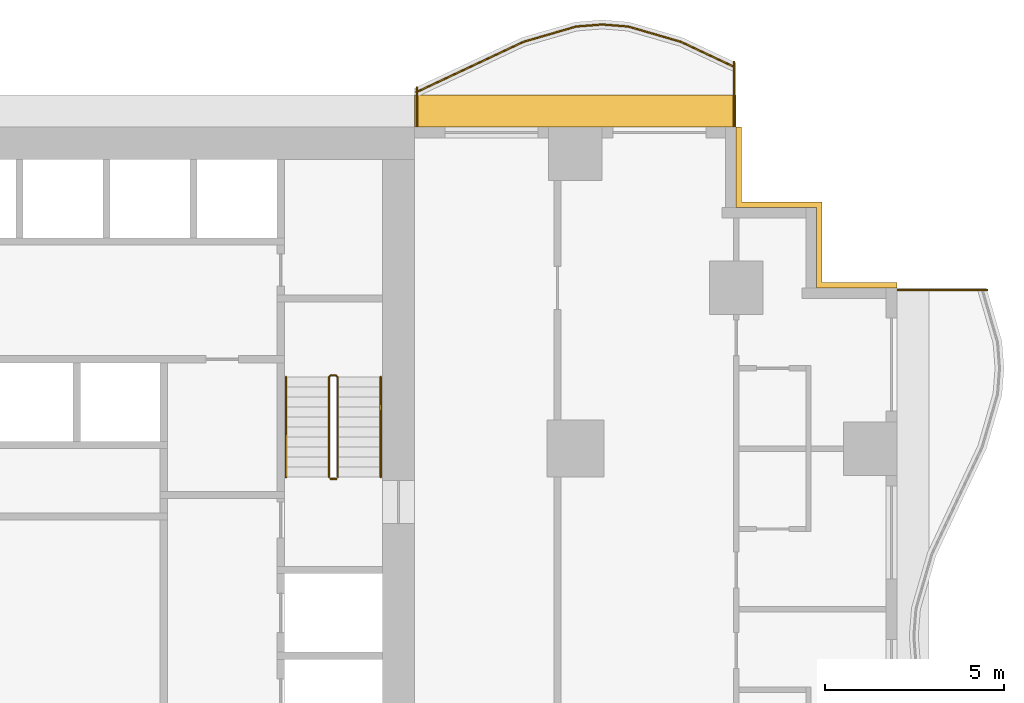
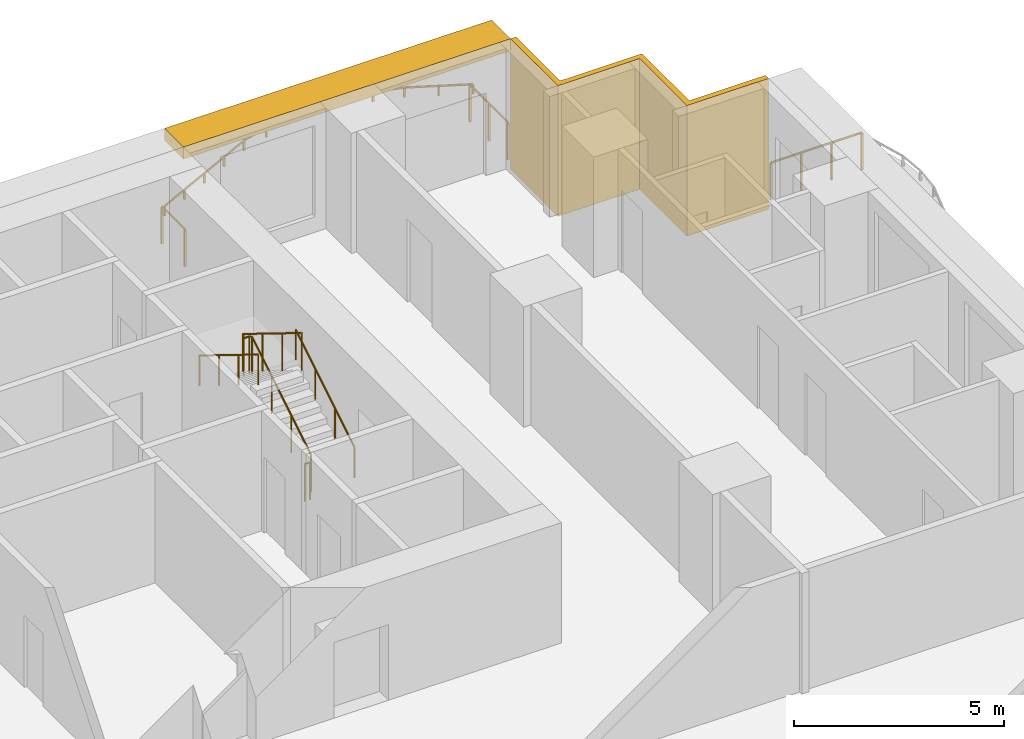
# One storey, part 14 of 14: 8 railings, 2 shading devices.
"""IFC4 building model written with IfcOpenShell, lengths in metres."""

from ifc_helpers import new_model, si_unit, direction, frame, origin, origin_2d, place, context, subcontext, project, spatial, polyline, rectangle, circle, outline, extrude, material, layer, layer_set, type_object, element, save


model = new_model("IFC4")

# Units and contexts
model_context = context("Model", 3, precision=1e-05, world=origin(), true_north=direction((0.0, 1.0)))
body_context = subcontext(model_context, "Body", "Model", "MODEL_VIEW")
ifc_project = project(units=[si_unit("LENGTHUNIT", "METRE"), si_unit("AREAUNIT", "SQUARE_METRE"), si_unit("VOLUMEUNIT", "CUBIC_METRE"), si_unit("PLANEANGLEUNIT", "RADIAN"), si_unit("MASSUNIT", "GRAM", prefix="KILO")], contexts=[model_context])

# Site, building, storey
site_placement = place(None, origin())
site = spatial("IfcSite", under=ifc_project, at=site_placement, CompositionType="ELEMENT")
building_placement = place(site_placement, origin())
building = spatial("IfcBuilding", under=site, at=building_placement, Name="Orbiselva Terraces", CompositionType="ELEMENT")
storey_placement = place(building_placement, frame((0.0, 0.0, 15.0)))
storey = spatial("IfcBuildingStorey", under=building, at=storey_placement, Name="L03", CompositionType="ELEMENT", Elevation=15.0)

# Railings
ifc_material_1 = material(Name="Stainless steel", Category="steel")
railing_type_1 = type_object("IfcRailingType", Name="CORE-GUARD-1100", PredefinedType="GUARDRAIL", material=ifc_material_1)
railing_1_placement = place(storey_placement, frame((11.35, 12.7, 0.172727)))
element("IfcRailing", 1, at=railing_1_placement, inside=storey, type_object=railing_type_1, Name="L03 S2 stair guard 1", PredefinedType="GUARDRAIL", context=body_context, shape_type="SweptSolid", body=[
    extrude(circle(Radius=0.024, at=origin_2d()), frame((0.0, 0.0, 1.081), z_axis=(0.0, 0.851088519012, 0.52502222125), x_axis=(-1.0, 0.0, 0.0)), (0.0, 0.0, 1.0), 3.289905),
    extrude(circle(Radius=0.024, at=origin_2d()), frame((0.0, 2.8, 2.808273), z_axis=(-0.707106781187, 0.707106781187, 0.0), x_axis=(-0.707106781187, -0.707106781187, 0.0)), (0.0, 0.0, 1.0), 0.070711),
    extrude(circle(Radius=0.024, at=origin_2d()), frame((-0.05, 2.85, 2.808273), z_axis=(-1.0, 0.0, 0.0), x_axis=(0.0, -1.0, 0.0)), (0.0, 0.0, 1.0), 0.15),
    extrude(circle(Radius=0.024, at=origin_2d()), frame((-0.2, 2.85, 2.808273), z_axis=(-0.267894925557, -0.267894925557, 0.925453736133), x_axis=(0.707106781187, -0.707106781187, 0.0)), (0.0, 0.0, 1.0), 0.18664),
    extrude(circle(Radius=0.024, at=origin_2d()), frame((-0.25, 2.8, 2.981), z_axis=(0.0, -0.851088519012, 0.52502222125), x_axis=(1.0, 0.0, 0.0)), (0.0, 0.0, 1.0), 3.289905),
    extrude(circle(Radius=0.021, at=origin_2d()), origin(), (0.0, 0.0, 1.0), 1.057),
    extrude(circle(Radius=0.021, at=origin_2d()), frame((0.0, 0.933333, 0.575758)), (0.0, 0.0, 1.0), 1.057),
    extrude(circle(Radius=0.021, at=origin_2d()), frame((0.0, 1.866667, 1.151515)), (0.0, 0.0, 1.0), 1.057),
    extrude(circle(Radius=0.021, at=origin_2d()), frame((0.0, 2.8, 1.727273)), (0.0, 0.0, 1.0), 1.057),
    extrude(circle(Radius=0.021, at=origin_2d()), frame((-0.05, 2.85, 1.727273)), (0.0, 0.0, 1.0), 1.057),
    extrude(circle(Radius=0.021, at=origin_2d()), frame((-0.2, 2.85, 1.727273)), (0.0, 0.0, 1.0), 1.057),
    extrude(circle(Radius=0.021, at=origin_2d()), frame((-0.25, 2.8, 1.9)), (0.0, 0.0, 1.0), 1.057),
    extrude(circle(Radius=0.021, at=origin_2d()), frame((-0.25, 1.866667, 2.475758)), (0.0, 0.0, 1.0), 1.057),
    extrude(circle(Radius=0.021, at=origin_2d()), frame((-0.25, 0.933333, 3.051515)), (0.0, 0.0, 1.0), 1.057),
    extrude(circle(Radius=0.021, at=origin_2d()), frame((-0.25, 0.0, 3.627273)), (0.0, 0.0, 1.0), 1.057),
])
railing_2_placement = place(storey_placement, frame((11.3, 12.65, 0.0)))
element("IfcRailing", 2, at=railing_2_placement, inside=storey, type_object=railing_type_1, Name="L03 S2 stair guard 2", PredefinedType="GUARDRAIL", context=body_context, shape_type="SweptSolid", body=[
    extrude(circle(Radius=0.024, at=origin_2d()), frame((0.0, 0.0, 1.081), z_axis=(-1.0, 0.0, 0.0), x_axis=(0.0, -1.0, 0.0)), (0.0, 0.0, 1.0), 0.15),
    extrude(circle(Radius=0.021, at=origin_2d()), origin(), (0.0, 0.0, 1.0), 1.057),
    extrude(circle(Radius=0.021, at=origin_2d()), frame((-0.15, 0.0, 0.0)), (0.0, 0.0, 1.0), 1.057),
])
railing_type_2 = type_object("IfcRailingType", Name="CORE-HANDRAIL-900", PredefinedType="HANDRAIL", material=ifc_material_1)
railing_3_placement = place(storey_placement, frame((12.55, 12.7, 0.172727)))
element("IfcRailing", 3, at=railing_3_placement, inside=storey, type_object=railing_type_2, Name="L03 S2 stair handrail 1", PredefinedType="HANDRAIL", context=body_context, shape_type="SweptSolid", body=[
    extrude(circle(Radius=0.024, at=origin_2d()), frame((0.0, 0.0, 0.876), z_axis=(0.0, 0.851088519012, 0.52502222125), x_axis=(-1.0, 0.0, 0.0)), (0.0, 0.0, 1.0), 3.289905),
    extrude(circle(Radius=0.021, at=origin_2d()), origin(), (0.0, 0.0, 1.0), 0.852),
    extrude(circle(Radius=0.021, at=origin_2d()), frame((0.0, 0.933333, 0.575758)), (0.0, 0.0, 1.0), 0.852),
    extrude(circle(Radius=0.021, at=origin_2d()), frame((0.0, 1.866667, 1.151515)), (0.0, 0.0, 1.0), 0.852),
    extrude(circle(Radius=0.021, at=origin_2d()), frame((0.0, 2.8, 1.727273)), (0.0, 0.0, 1.0), 0.852),
])
railing_4_placement = place(storey_placement, frame((9.9, 15.5, 2.072727)))
element("IfcRailing", 4, at=railing_4_placement, inside=storey, type_object=railing_type_2, Name="L03 S2 stair handrail 2", PredefinedType="HANDRAIL", context=body_context, shape_type="SweptSolid", body=[
    extrude(circle(Radius=0.024, at=origin_2d()), frame((0.0, 0.0, 0.876), z_axis=(0.0, -0.851088519012, 0.52502222125), x_axis=(1.0, 0.0, 0.0)), (0.0, 0.0, 1.0), 3.289905),
    extrude(circle(Radius=0.021, at=origin_2d()), origin(), (0.0, 0.0, 1.0), 0.852),
    extrude(circle(Radius=0.021, at=origin_2d()), frame((0.0, -0.933333, 0.575758)), (0.0, 0.0, 1.0), 0.852),
    extrude(circle(Radius=0.021, at=origin_2d()), frame((0.0, -1.866667, 1.151515)), (0.0, 0.0, 1.0), 0.852),
    extrude(circle(Radius=0.021, at=origin_2d()), frame((0.0, -2.8, 1.727273)), (0.0, 0.0, 1.0), 0.852),
])
ifc_material_2 = material(Name="Bonded two-ply safety glass balustrade, stainless steel posts", Category="steel")
railing_type_3 = type_object("IfcRailingType", Name="ENV-BALUSTRADE-1200", PredefinedType="BALUSTRADE", material=ifc_material_2)
railing_5_placement = place(storey_placement, frame((22.446809, 24.186882, 0.9)))
element("IfcRailing", 5, at=railing_5_placement, inside=storey, type_object=railing_type_3, Name="Balcony balustrade L03 NE", PredefinedType="BALUSTRADE", context=body_context, shape_type="SweptSolid", body=[
    extrude(outline(polyline([(0.028868, 0.0), (0.014434, 0.025), (-0.014434, 0.025), (-0.028868, 0.0), (-0.014434, -0.025), (0.014434, -0.025), (0.028868, 0.0)])), frame((0.0, 0.0, 0.275), z_axis=(-0.904944359461, 0.425529912322, 0.0), x_axis=(-0.425529912322, -0.904944359461, 0.0)), (0.0, 0.0, 1.0), 1.647746),
    extrude(outline(polyline([(0.028868, 0.0), (0.014434, 0.025), (-0.014434, 0.025), (-0.028868, 0.0), (-0.014434, -0.025), (0.014434, -0.025), (0.028868, 0.0)])), frame((-1.491118, 0.701165, 0.275), z_axis=(-0.960270317007, 0.279071528957, 0.0), x_axis=(-0.279071528957, -0.960270317007, 0.0)), (0.0, 0.0, 1.0), 1.539408),
    extrude(outline(polyline([(0.028868, 0.0), (0.014434, 0.025), (-0.014434, 0.025), (-0.028868, 0.0), (-0.014434, -0.025), (0.014434, -0.025), (0.028868, 0.0)])), frame((-2.969366, 1.13077, 0.275), z_axis=(-0.996947916106, 0.078069536776, 0.0), x_axis=(-0.078069536776, -0.996947916106, 0.0)), (0.0, 0.0, 1.0), 0.72967),
    extrude(outline(polyline([(0.028868, 0.0), (0.014434, 0.025), (-0.014434, 0.025), (-0.028868, 0.0), (-0.014434, -0.025), (0.014434, -0.025), (0.028868, 0.0)])), frame((-3.696809, 1.187735, 0.275), z_axis=(-0.996947916106, -0.078069536776, 0.0), x_axis=(0.078069536776, -0.996947916106, 0.0)), (0.0, 0.0, 1.0), 0.72967),
    extrude(outline(polyline([(0.028868, 0.0), (0.014434, 0.025), (-0.014434, 0.025), (-0.028868, 0.0), (-0.014434, -0.025), (0.014434, -0.025), (0.028868, 0.0)])), frame((-4.424252, 1.13077, 0.275), z_axis=(-0.960270317007, -0.279071528957, 0.0), x_axis=(0.279071528957, -0.960270317007, 0.0)), (0.0, 0.0, 1.0), 1.539408),
    extrude(outline(polyline([(0.028868, 0.0), (0.014434, 0.025), (-0.014434, 0.025), (-0.028868, 0.0), (-0.014434, -0.025), (0.014434, -0.025), (0.028868, 0.0)])), frame((-5.9025, 0.701165, 0.275), z_axis=(-0.904944359461, -0.425529912322, 0.0), x_axis=(0.425529912322, -0.904944359461, 0.0)), (0.0, 0.0, 1.0), 1.647746),
    extrude(outline(polyline([(0.028868, 0.0), (0.014434, 0.025), (-0.014434, 0.025), (-0.028868, 0.0), (-0.014434, -0.025), (0.014434, -0.025), (0.028868, 0.0)])), frame((-7.393618, 0.0, 0.275), z_axis=(-0.904944257823, -0.425530128467, 0.0), x_axis=(0.425530128467, -0.904944257823, 0.0)), (0.0, 0.0, 1.0), 1.657561),
    extrude(rectangle(XDim=0.05, YDim=0.05, at=origin_2d()), origin(), (0.0, 0.0, 1.0), 0.25),
    extrude(rectangle(XDim=0.05, YDim=0.05, at=origin_2d()), frame((-0.745559, 0.350582, 0.0)), (0.0, 0.0, 1.0), 0.25),
    extrude(rectangle(XDim=0.05, YDim=0.05, at=origin_2d()), frame((-1.491118, 0.701165, 0.0)), (0.0, 0.0, 1.0), 0.25),
    extrude(rectangle(XDim=0.05, YDim=0.05, at=origin_2d()), frame((-2.230242, 0.915967, 0.0)), (0.0, 0.0, 1.0), 0.25),
    extrude(rectangle(XDim=0.05, YDim=0.05, at=origin_2d()), frame((-2.969366, 1.13077, 0.0)), (0.0, 0.0, 1.0), 0.25),
    extrude(rectangle(XDim=0.05, YDim=0.05, at=origin_2d()), frame((-3.696809, 1.187735, 0.0)), (0.0, 0.0, 1.0), 0.25),
    extrude(rectangle(XDim=0.05, YDim=0.05, at=origin_2d()), frame((-4.424252, 1.13077, 0.0)), (0.0, 0.0, 1.0), 0.25),
    extrude(rectangle(XDim=0.05, YDim=0.05, at=origin_2d()), frame((-5.163376, 0.915967, 0.0)), (0.0, 0.0, 1.0), 0.25),
    extrude(rectangle(XDim=0.05, YDim=0.05, at=origin_2d()), frame((-5.9025, 0.701165, 0.0)), (0.0, 0.0, 1.0), 0.25),
    extrude(rectangle(XDim=0.05, YDim=0.05, at=origin_2d()), frame((-6.648059, 0.350582, 0.0)), (0.0, 0.0, 1.0), 0.25),
    extrude(rectangle(XDim=0.05, YDim=0.05, at=origin_2d()), frame((-7.393618, 0.0, 0.0)), (0.0, 0.0, 1.0), 0.25),
    extrude(rectangle(XDim=0.05, YDim=0.05, at=origin_2d()), frame((-8.143618, -0.352671, 0.0)), (0.0, 0.0, 1.0), 0.25),
    extrude(rectangle(XDim=0.05, YDim=0.05, at=origin_2d()), frame((-8.893618, -0.705342, 0.0)), (0.0, 0.0, 1.0), 0.25),
])
ifc_material_3 = material(Name="Stainless steel rail and posts", Category="steel")
railing_type_4 = type_object("IfcRailingType", Name="ENV-GUARD-1105", PredefinedType="BALUSTRADE", material=ifc_material_3)
railing_6_placement = place(storey_placement, frame((29.529516, 17.94, 0.0)))
element("IfcRailing", 6, at=railing_6_placement, inside=storey, type_object=railing_type_4, Name="Balcony end guard L03 E", PredefinedType="BALUSTRADE", context=body_context, shape_type="SweptSolid", body=[
    extrude(outline(polyline([(0.028868, 0.0), (0.014434, 0.025), (-0.014434, 0.025), (-0.028868, 0.0), (-0.014434, -0.025), (0.014434, -0.025), (0.028868, 0.0)])), frame((0.0, 0.0, 1.08), z_axis=(-1.0, 0.0, 0.0), x_axis=(0.0, -1.0, 0.0)), (0.0, 0.0, 1.0), 2.504516),
    extrude(rectangle(XDim=0.05, YDim=0.05, at=origin_2d()), origin(), (0.0, 0.0, 1.0), 1.055),
    extrude(rectangle(XDim=0.05, YDim=0.05, at=origin_2d()), frame((-0.834839, 0.0, 0.0)), (0.0, 0.0, 1.0), 1.055),
    extrude(rectangle(XDim=0.05, YDim=0.05, at=origin_2d()), frame((-1.669677, 0.0, 0.0)), (0.0, 0.0, 1.0), 1.055),
    extrude(rectangle(XDim=0.05, YDim=0.05, at=origin_2d()), frame((-2.504516, 0.0, 0.0)), (0.0, 0.0, 1.0), 1.055),
])
railing_7_placement = place(storey_placement, frame((22.44, 24.330156, 0.0)))
element("IfcRailing", 7, at=railing_7_placement, inside=storey, type_object=railing_type_4, Name="Balcony end guard L03 NE", PredefinedType="BALUSTRADE", context=body_context, shape_type="SweptSolid", body=[
    extrude(outline(polyline([(0.028868, 0.0), (0.014434, 0.025), (-0.014434, 0.025), (-0.028868, 0.0), (-0.014434, -0.025), (0.014434, -0.025), (0.028868, 0.0)])), frame((0.0, 0.0, 1.08), z_axis=(0.0, -1.0, 0.0), x_axis=(1.0, 0.0, 0.0)), (0.0, 0.0, 1.0), 1.805156),
    extrude(rectangle(XDim=0.05, YDim=0.05, at=origin_2d()), origin(), (0.0, 0.0, 1.0), 1.055),
    extrude(rectangle(XDim=0.05, YDim=0.05, at=origin_2d()), frame((0.0, -0.902578, 0.0)), (0.0, 0.0, 1.0), 1.055),
    extrude(rectangle(XDim=0.05, YDim=0.05, at=origin_2d()), frame((0.0, -1.805156, 0.0)), (0.0, 0.0, 1.0), 1.055),
])
railing_8_placement = place(storey_placement, frame((13.56, 23.619277, 0.0)))
element("IfcRailing", 8, at=railing_8_placement, inside=storey, type_object=railing_type_4, Name="Balcony end guard L03 NE", PredefinedType="BALUSTRADE", context=body_context, shape_type="SweptSolid", body=[
    extrude(outline(polyline([(0.028868, 0.0), (0.014434, 0.025), (-0.014434, 0.025), (-0.028868, 0.0), (-0.014434, -0.025), (0.014434, -0.025), (0.028868, 0.0)])), frame((0.0, 0.0, 1.08), z_axis=(0.0, -1.0, 0.0), x_axis=(1.0, 0.0, 0.0)), (0.0, 0.0, 1.0), 1.094277),
    extrude(rectangle(XDim=0.05, YDim=0.05, at=origin_2d()), origin(), (0.0, 0.0, 1.0), 1.055),
    extrude(rectangle(XDim=0.05, YDim=0.05, at=origin_2d()), frame((0.0, -1.094277, 0.0)), (0.0, 0.0, 1.0), 1.055),
])

# Shading devices
ifc_material_4 = material(Name="Terracotta louvre screen", Category="masonry")
ifc_layer_1 = layer(ifc_material_4, 0.15)
ifc_layer_set_1 = layer_set([ifc_layer_1], Name="Terracotta louvre screen")
shading_device_type_1 = type_object("IfcShadingDeviceType", Name="ENV-SCREEN-150", PredefinedType="USERDEFINED", material=ifc_layer_set_1)
shading_device_1_placement = place(storey_placement, frame((0.0, 0.0, -0.3)))
element("IfcShadingDevice", 9, at=shading_device_1_placement, inside=storey, type_object=shading_device_type_1, Name="Louvre screen L03 NE", ObjectType="SCREEN", PredefinedType="USERDEFINED", context=body_context, shape_type="SweptSolid", body=[
    extrude(outline(polyline([(27.0, 18.15), (24.9, 18.15), (24.9, 20.4), (22.65, 20.4), (22.65, 22.5), (22.5, 22.5), (22.5, 20.25), (24.75, 20.25), (24.75, 18.0), (27.0, 18.0), (27.0, 18.15)])), origin(), (0.0, 0.0, 1.0), 3.8),
])
ifc_material_5 = material(Name="Terracotta baguette sunshade", Category="masonry")
ifc_layer_2 = layer(ifc_material_5, 0.35)
ifc_layer_set_2 = layer_set([ifc_layer_2], Name="Terracotta baguette sunshade")
shading_device_type_2 = type_object("IfcShadingDeviceType", Name="ENV-SUNSHADE-900x350", PredefinedType="USERDEFINED", material=ifc_layer_set_2)
shading_device_2_placement = place(storey_placement, frame((0.0, 0.0, 3.15)))
element("IfcShadingDevice", 10, at=shading_device_2_placement, inside=storey, type_object=shading_device_type_2, Name="Sunshade band L03 NE", ObjectType="SUNSHADE", PredefinedType="USERDEFINED", context=body_context, shape_type="SweptSolid", body=[
    extrude(outline(polyline([(22.5, 23.4), (13.5, 23.4), (13.5, 22.5), (22.5, 22.5), (22.5, 23.4)])), origin(), (0.0, 0.0, 1.0), 0.35),
])

save(model, "model.ifc")
